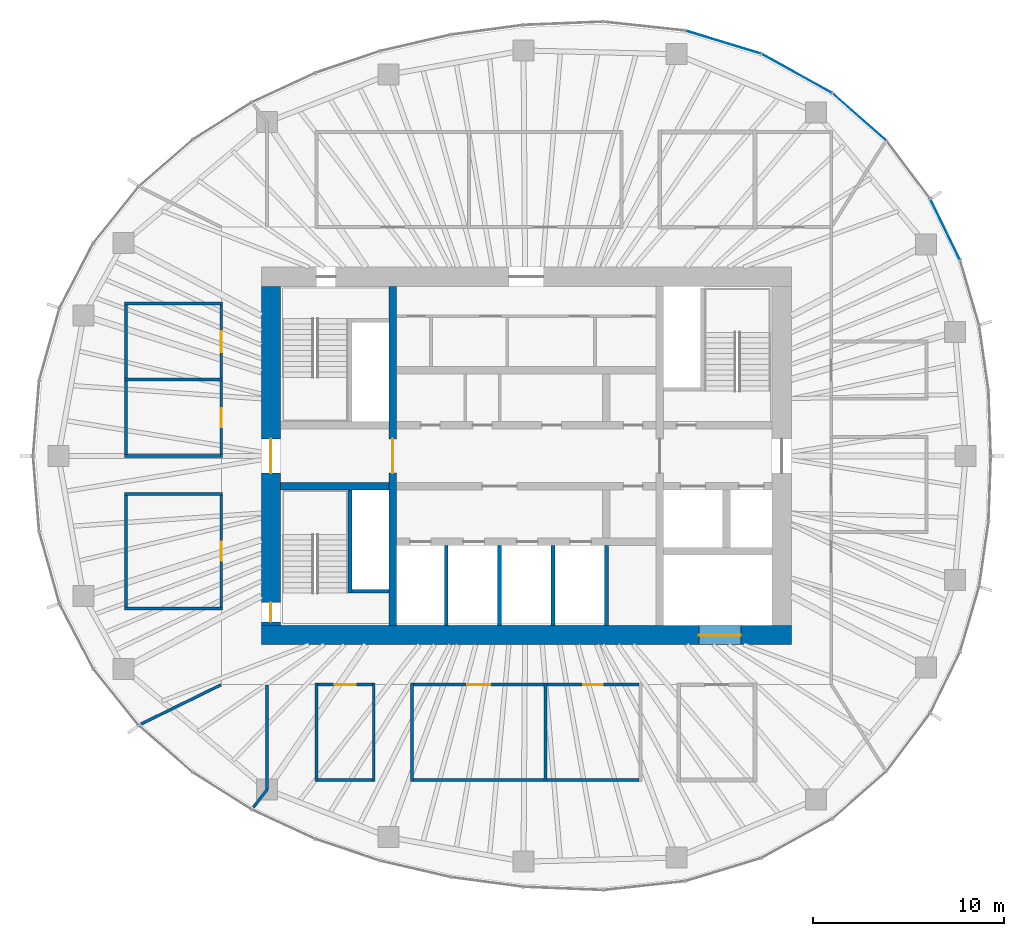
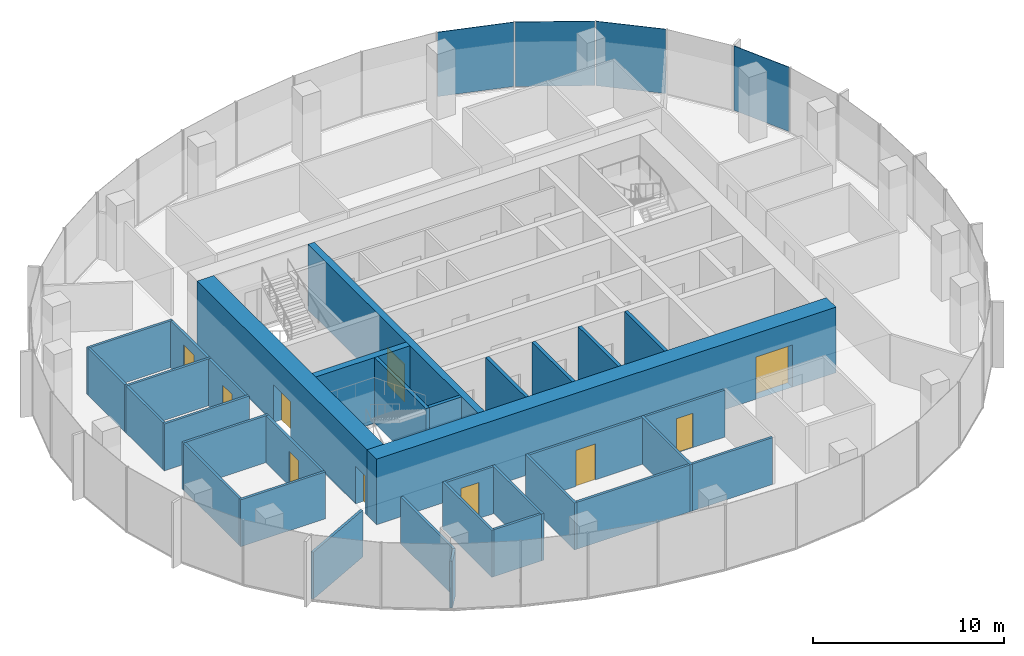
# One storey, part 8 of 12: 34 walls, 10 doors, 4 plates, 10 openings, 3 elements without a shape of their own.
"""IFC4 building model written with IfcOpenShell, lengths in metres."""

from ifc_helpers import new_model, si_unit, direction, frame, frame_2d, origin, origin_2d, place, context, subcontext, project, spatial, rectangle, extrude, material, layer, layer_set, type_object, element, fill, aggregate, save


model = new_model("IFC4")

# Units and contexts
model_context = context("Model", 3, precision=1e-05, world=origin(), true_north=direction((0.0, 1.0)))
body_context = subcontext(model_context, "Body", "Model", "MODEL_VIEW")
ifc_project = project(units=[si_unit("LENGTHUNIT", "METRE"), si_unit("AREAUNIT", "SQUARE_METRE"), si_unit("VOLUMEUNIT", "CUBIC_METRE"), si_unit("PLANEANGLEUNIT", "RADIAN"), si_unit("MASSUNIT", "GRAM", prefix="KILO")], contexts=[model_context])

# Site, building, storey
site_placement = place(None, origin())
site = spatial("IfcSite", under=ifc_project, at=site_placement, CompositionType="ELEMENT")
building_placement = place(site_placement, origin())
building = spatial("IfcBuilding", under=site, at=building_placement, Name="Ghaith Harvest Tower", CompositionType="ELEMENT")
storey_placement = place(building_placement, frame((0.0, 0.0, 296.39990234375)))
storey = spatial("IfcBuildingStorey", under=building, at=storey_placement, Name="L66", CompositionType="ELEMENT", Elevation=296.39990234375)

# Curtain wall, plate
ifc_material_1 = material(Name="Black anodised aluminium and fritted glass", Category="aluminium")
curtain_wall_type = type_object("IfcCurtainWallType", Name="CW-T CURTAIN WALL", PredefinedType="NOTDEFINED", material=ifc_material_1)
curtain_wall_1_placement = place(storey_placement, origin())
curtain_wall_1 = element("IfcCurtainWall", 1, at=curtain_wall_1_placement, inside=storey, type_object=curtain_wall_type, Name="Curtain wall CW-T bay 02 L66", PredefinedType="NOTDEFINED")
ifc_material_2 = material(Name="Glass, dark solar-control fritted double glazed unit", Category="glass")
ifc_layer_1 = layer(ifc_material_2, 0.033935546875)
ifc_layer_set_1 = layer_set([ifc_layer_1], Name="CW-T VISION PANEL")
plate_type = type_object("IfcPlateType", Name="CW-T VISION PANEL", PredefinedType="CURTAIN_PANEL", material=ifc_layer_set_1)
plate_1_placement = place(storey_placement, frame((21.9716796875, 11.878662109375, 0.080078125), z_axis=(0.0, 0.0, 1.0), x_axis=(-0.437968365148, 0.898990384337, 0.0)))
plate_1 = element("IfcPlate", 2, at=plate_1_placement, type_object=plate_type, Name="CW-T glass unit 2 bay 02 L66", PredefinedType="CURTAIN_PANEL", context=body_context, shape_type="SweptSolid", body=[
    extrude(rectangle(XDim=3.49365234375, YDim=0.033935546875, at=origin_2d()), origin(), (0.0, 0.0, 1.0), 4.1201171875),
])
aggregate(curtain_wall_1, [plate_1])

curtain_wall_2_placement = place(storey_placement, origin())
curtain_wall_2 = element("IfcCurtainWall", 3, at=curtain_wall_2_placement, inside=storey, type_object=curtain_wall_type, Name="Curtain wall CW-T bay 03 L66", PredefinedType="NOTDEFINED")
plate_2_placement = place(storey_placement, frame((17.47509765625, 17.779541015625, 0.080078125), z_axis=(0.0, 0.0, 1.0), x_axis=(-0.751334532416, 0.659921525941, 0.0)))
plate_2 = element("IfcPlate", 4, at=plate_2_placement, type_object=plate_type, Name="CW-T glass unit 2 bay 03 L66", PredefinedType="CURTAIN_PANEL", context=body_context, shape_type="SweptSolid", body=[
    extrude(rectangle(XDim=3.7158203125, YDim=0.033935546875, at=origin_2d()), origin(), (0.0, 0.0, 1.0), 4.1201171875),
])
aggregate(curtain_wall_2, [plate_2])

# Curtain wall, plates
curtain_wall_3_placement = place(storey_placement, origin())
curtain_wall_3 = element("IfcCurtainWall", 5, at=curtain_wall_3_placement, inside=storey, type_object=curtain_wall_type, Name="Curtain wall CW-T bay 04 L66", PredefinedType="NOTDEFINED")
plate_3_placement = place(storey_placement, frame((14.19189453125, 20.06201171875, 0.080078125), z_axis=(0.0, 0.0, 1.0), x_axis=(-0.87456402291, 0.484910063653, 0.0)))
plate_3 = element("IfcPlate", 6, at=plate_3_placement, type_object=plate_type, Name="CW-T glass unit 1 bay 04 L66", PredefinedType="CURTAIN_PANEL", context=body_context, shape_type="SweptSolid", body=[
    extrude(rectangle(XDim=4.167724609375, YDim=0.033935546875, at=origin_2d()), origin(), (0.0, 0.0, 1.0), 4.1201171875),
])
plate_4_placement = place(storey_placement, frame((10.337158203125, 21.700439453125, 0.080078125), z_axis=(0.0, 0.0, 1.0), x_axis=(-0.956587736124, 0.291444511181, 0.0)))
plate_4 = element("IfcPlate", 7, at=plate_4_placement, type_object=plate_type, Name="CW-T glass unit 2 bay 04 L66", PredefinedType="CURTAIN_PANEL", context=body_context, shape_type="SweptSolid", body=[
    extrude(rectangle(XDim=4.095703125, YDim=0.033935546875, at=origin_2d()), origin(), (0.0, 0.0, 1.0), 4.1201171875),
])
aggregate(curtain_wall_3, [plate_3, plate_4])

# Wall, opening, door
ifc_material_3 = material(Name="Concrete C50/60", Category="concrete")
ifc_layer_2 = layer(ifc_material_3, 1.0)
ifc_layer_set_2 = layer_set([ifc_layer_2], Name="CORE WALL CW1000")
wall_type_1 = type_object("IfcWallType", Name="CORE WALL CW1000", PredefinedType="SHEAR", material=ifc_layer_set_2)
wall_1_placement = place(storey_placement, frame((-13.89990234375, -9.39990234375, 0.0), z_axis=(0.0, 0.0, 1.0), x_axis=(1.0, 0.0, 0.0)))
wall_1 = element("IfcWall", 8, at=wall_1_placement, inside=storey, type_object=wall_type_1, Name="Core wall S L66", PredefinedType="SHEAR", context=body_context, shape_type="SweptSolid", body=[
    extrude(rectangle(XDim=27.7998046875, YDim=1.0, at=frame_2d((13.89990234375, 0.0))), origin(), (0.0, 0.0, 1.0), 4.2001953125),
])
opening_1_placement = place(wall_1_placement, frame((22.949951171875, 0.0, 0.0)))
opening_1 = element("IfcOpeningElement", 9, at=opening_1_placement, cuts=wall_1, Name="Opening 66-025", PredefinedType="OPENING", context=body_context, shape_type="SweptSolid", body=[
    extrude(rectangle(XDim=2.199951171875, YDim=2.699951171875, at=frame_2d((1.10009765625, 1.35009765625))), frame((0.0, 0.510009765625, 0.0), z_axis=(0.0, -1.0, 0.0), x_axis=(1.0, 0.0, 0.0)), (0.0, 0.0, 1.0), 1.02001953125),
])
ifc_material_4 = material(Name="Steel fire door", Category="steel")
door_type_1 = type_object("IfcDoorType", Name="LD3 LANDING 2200x2700", OperationType="DOUBLE_DOOR_SLIDING", PredefinedType="DOOR", material=ifc_material_4)
door_1_placement = place(opening_1_placement, origin())
door_1 = element("IfcDoor", 10, at=door_1_placement, inside=storey, type_object=door_type_1, Name="Landing door, goods lift GL1", OperationType="DOUBLE_DOOR_SLIDING", OverallHeight=2.699951171875, OverallWidth=2.199951171875, PredefinedType="DOOR", context=body_context, shape_type="SweptSolid", body=[
    extrude(rectangle(XDim=2.199951171875, YDim=2.699951171875, at=frame_2d((1.10009765625, 1.35009765625))), frame((0.0, 0.02490234375, 0.0), z_axis=(0.0, -1.0, 0.0), x_axis=(1.0, 0.0, 0.0)), (0.0, 0.0, 1.0), 0.050048828125),
])
fill(opening_1, door_1)

# Wall, openings, doors
wall_2_placement = place(storey_placement, frame((-13.39990234375, 8.89990234375, 0.0), z_axis=(0.0, 0.0, 1.0), x_axis=(0.0, -1.0, 0.0)))
wall_2 = element("IfcWall", 11, at=wall_2_placement, inside=storey, type_object=wall_type_1, Name="Core wall W L66", PredefinedType="SHEAR", context=body_context, shape_type="SweptSolid", body=[
    extrude(rectangle(XDim=17.7998046875, YDim=1.0, at=frame_2d((8.89990234375, 0.0))), origin(), (0.0, 0.0, 1.0), 4.2001953125),
])
opening_2_placement = place(wall_2_placement, frame((8.0, 0.0, 0.0)))
opening_2 = element("IfcOpeningElement", 12, at=opening_2_placement, cuts=wall_2, Name="Opening 66-001", PredefinedType="OPENING", context=body_context, shape_type="SweptSolid", body=[
    extrude(rectangle(XDim=1.800048828125, YDim=2.39990234375, at=frame_2d((0.89990234375, 1.199951171875))), frame((0.0, 0.510009765625, 0.0), z_axis=(0.0, -1.0, 0.0), x_axis=(1.0, 0.0, 0.0)), (0.0, 0.0, 1.0), 1.02001953125),
])
opening_3_placement = place(wall_2_placement, frame((16.60009765625, 0.0, 0.0)))
opening_3 = element("IfcOpeningElement", 13, at=opening_3_placement, cuts=wall_2, Name="Opening 66-006", PredefinedType="OPENING", context=body_context, shape_type="SweptSolid", body=[
    extrude(rectangle(XDim=1.0, YDim=2.39990234375, at=frame_2d((0.5, 1.199951171875))), frame((0.0, 0.510009765625, 0.0), z_axis=(0.0, -1.0, 0.0), x_axis=(1.0, 0.0, 0.0)), (0.0, 0.0, 1.0), 1.02001953125),
])
ifc_material_5 = material(Name="Steel fire door", Category="steel")
door_type_2 = type_object("IfcDoorType", Name="D3 FD90 1000x2400", OperationType="SINGLE_SWING_LEFT", PredefinedType="DOOR", material=ifc_material_5)
door_2_placement = place(opening_3_placement, origin())
door_2 = element("IfcDoor", 14, at=door_2_placement, inside=storey, type_object=door_type_2, Name="Stair ST3 door", OperationType="SINGLE_SWING_RIGHT", OverallHeight=2.39990234375, OverallWidth=1.0, PredefinedType="DOOR", context=body_context, shape_type="SweptSolid", body=[
    extrude(rectangle(XDim=1.0, YDim=2.39990234375, at=frame_2d((0.5, 1.199951171875))), frame((0.0, 0.02490234375, 0.0), z_axis=(0.0, -1.0, 0.0), x_axis=(1.0, 0.0, 0.0)), (0.0, 0.0, 1.0), 0.050048828125),
])
fill(opening_3, door_2)
ifc_material_6 = material(Name="Steel fire door", Category="steel")
door_type_3 = type_object("IfcDoorType", Name="D4 FD90 PAIR 1800x2400", OperationType="DOUBLE_DOOR_SINGLE_SWING", PredefinedType="DOOR", material=ifc_material_6)
door_3_placement = place(opening_2_placement, origin())
door_3 = element("IfcDoor", 15, at=door_3_placement, inside=storey, type_object=door_type_3, Name="West lobby doors", OperationType="DOUBLE_DOOR_SINGLE_SWING", OverallHeight=2.39990234375, OverallWidth=1.800048828125, PredefinedType="DOOR", context=body_context, shape_type="SweptSolid", body=[
    extrude(rectangle(XDim=1.800048828125, YDim=2.39990234375, at=frame_2d((0.89990234375, 1.199951171875))), frame((0.0, 0.02490234375, 0.0), z_axis=(0.0, -1.0, 0.0), x_axis=(1.0, 0.0, 0.0)), (0.0, 0.0, 1.0), 0.050048828125),
])
fill(opening_2, door_3)

# Walls
ifc_material_7 = material(Name="Concrete blockwork, 2-hour", Category="masonry")
ifc_layer_3 = layer(ifc_material_7, 0.199951171875)
ifc_layer_set_3 = layer_set([ifc_layer_3], Name="LIFT SHAFT WALL 200")
wall_type_2 = type_object("IfcWallType", Name="LIFT SHAFT WALL 200", PredefinedType="PARTITIONING", material=ifc_layer_set_3)
for number, where, z_axis, x_axis, name in (
    (16, (-4.199951171875, -4.699951171875, 0.0), (0.0, 0.0, 1.0), (0.0, -1.0, 0.0), "Lift shaft wall L66"),
    (17, (-1.39990234375, -4.699951171875, 0.0), (0.0, 0.0, 1.0), (0.0, -1.0, 0.0), "Lift shaft wall L66"),
    (18, (1.39990234375, -4.699951171875, 0.0), (0.0, 0.0, 1.0), (0.0, -1.0, 0.0), "Lift shaft wall L66"),
    (19, (4.199951171875, -4.699951171875, 0.0), (0.0, 0.0, 1.0), (0.0, -1.0, 0.0), "Lift shaft wall L66"),
):
    element("IfcWall", number, at=place(storey_placement, frame(where, z_axis=z_axis, x_axis=x_axis)), inside=storey, type_object=wall_type_2, Name=name, PredefinedType="PARTITIONING", context=body_context, shape_type="SweptSolid", body=[
        extrude(rectangle(XDim=4.199951171875, YDim=0.199951171875, at=frame_2d((2.10009765625, 0.0))), origin(), (0.0, 0.0, 1.0), 4.2001953125),
    ])
ifc_material_8 = material(Name="Gypsum board on steel studs", Category="steel")
ifc_layer_4 = layer(ifc_material_8, 0.14990234375)
ifc_layer_set_4 = layer_set([ifc_layer_4], Name="PARTITION 150")
wall_type_3 = type_object("IfcWallType", Name="PARTITION 150", PredefinedType="PARTITIONING", material=ifc_layer_set_4)
for number, where, z_axis, x_axis, name in (
    (20, (-6.0, -11.925048828125, 0.0), (0.0, 0.0, 1.0), (0.0, -1.0, 0.0), "Partition L66 row S3 cross wall 1"),
    (21, (1.0, -11.925048828125, 0.0), (0.0, 0.0, 1.0), (0.0, -1.0, 0.0), "Partition L66 row S3 cross wall 2"),
):
    element("IfcWall", number, at=place(storey_placement, frame(where, z_axis=z_axis, x_axis=x_axis)), inside=storey, type_object=wall_type_3, Name=name, PredefinedType="PARTITIONING", context=body_context, shape_type="SweptSolid", body=[
        extrude(rectangle(XDim=5.14990234375, YDim=0.14990234375, at=frame_2d((2.574951171875, 0.0))), origin(), (0.0, 0.0, 1.0), 3.0),
    ])

# Wall, opening, door
wall_3_placement = place(storey_placement, frame((-5.925048828125, -12.0, 0.0), z_axis=(0.0, 0.0, 1.0), x_axis=(1.0, 0.0, 0.0)))
wall_3 = element("IfcWall", 22, at=wall_3_placement, inside=storey, type_object=wall_type_3, Name="Partition L66-05", PredefinedType="PARTITIONING", context=body_context, shape_type="SweptSolid", body=[
    extrude(rectangle(XDim=6.85009765625, YDim=0.14990234375, at=frame_2d((3.425048828125, 0.0))), origin(), (0.0, 0.0, 1.0), 3.0),
])
opening_4_placement = place(wall_3_placement, frame((2.824951171875, 0.0, 0.0)))
opening_4 = element("IfcOpeningElement", 23, at=opening_4_placement, cuts=wall_3, Name="Opening 66-030", PredefinedType="OPENING", context=body_context, shape_type="SweptSolid", body=[
    extrude(rectangle(XDim=1.199951171875, YDim=2.300048828125, at=frame_2d((0.60009765625, 1.14990234375))), frame((0.0, 0.0849609375, 0.0), z_axis=(0.0, -1.0, 0.0), x_axis=(1.0, 0.0, 0.0)), (0.0, 0.0, 1.0), 0.169921875),
])
ifc_material_9 = material(Name="Timber door with vision panel", Category="wood")
door_type_4 = type_object("IfcDoorType", Name="D15 LABORATORY 1200x2300", OperationType="SINGLE_SWING_LEFT", PredefinedType="DOOR", material=ifc_material_9)
door_4_placement = place(opening_4_placement, origin())
door_4 = element("IfcDoor", 24, at=door_4_placement, inside=storey, type_object=door_type_4, Name="Crop health laboratory door", OperationType="SINGLE_SWING_LEFT", OverallHeight=2.300048828125, OverallWidth=1.199951171875, PredefinedType="DOOR", context=body_context, shape_type="SweptSolid", body=[
    extrude(rectangle(XDim=1.199951171875, YDim=2.300048828125, at=frame_2d((0.60009765625, 1.14990234375))), frame((0.0, 0.02490234375, 0.0), z_axis=(0.0, -1.0, 0.0), x_axis=(1.0, 0.0, 0.0)), (0.0, 0.0, 1.0), 0.050048828125),
])
fill(opening_4, door_4)

# Wall
wall_4_placement = place(storey_placement, frame((-5.925048828125, -17.0, 0.0), z_axis=(0.0, 0.0, 1.0), x_axis=(1.0, 0.0, 0.0)))
element("IfcWall", 25, at=wall_4_placement, inside=storey, type_object=wall_type_3, Name="Partition L66-05", PredefinedType="PARTITIONING", context=body_context, shape_type="SweptSolid", body=[
    extrude(rectangle(XDim=6.85009765625, YDim=0.14990234375, at=frame_2d((3.425048828125, 0.0))), origin(), (0.0, 0.0, 1.0), 3.0),
])

# Wall, opening, door
wall_5_placement = place(storey_placement, frame((1.074951171875, -12.0, 0.0), z_axis=(0.0, 0.0, 1.0), x_axis=(1.0, 0.0, 0.0)))
wall_5 = element("IfcWall", 26, at=wall_5_placement, inside=storey, type_object=wall_type_3, Name="Partition L66-06", PredefinedType="PARTITIONING", context=body_context, shape_type="SweptSolid", body=[
    extrude(rectangle(XDim=4.85009765625, YDim=0.14990234375, at=frame_2d((2.425048828125, 0.0))), origin(), (0.0, 0.0, 1.0), 3.0),
])
opening_5_placement = place(wall_5_placement, frame((1.925048828125, 0.0, 0.0)))
opening_5 = element("IfcOpeningElement", 27, at=opening_5_placement, cuts=wall_5, Name="Opening 66-031", PredefinedType="OPENING", context=body_context, shape_type="SweptSolid", body=[
    extrude(rectangle(XDim=1.0, YDim=2.199951171875, at=frame_2d((0.5, 1.10009765625))), frame((0.0, 0.0849609375, 0.0), z_axis=(0.0, -1.0, 0.0), x_axis=(1.0, 0.0, 0.0)), (0.0, 0.0, 1.0), 0.169921875),
])
ifc_material_10 = material(Name="Timber door", Category="wood")
door_type_5 = type_object("IfcDoorType", Name="D1 SINGLE 1000x2200", OperationType="SINGLE_SWING_LEFT", PredefinedType="DOOR", material=ifc_material_10)
door_5_placement = place(opening_5_placement, origin())
door_5 = element("IfcDoor", 28, at=door_5_placement, inside=storey, type_object=door_type_5, Name="Potting room door", OperationType="SINGLE_SWING_LEFT", OverallHeight=2.199951171875, OverallWidth=1.0, PredefinedType="DOOR", context=body_context, shape_type="SweptSolid", body=[
    extrude(rectangle(XDim=1.0, YDim=2.199951171875, at=frame_2d((0.5, 1.10009765625))), frame((0.0, 0.02490234375, 0.0), z_axis=(0.0, -1.0, 0.0), x_axis=(1.0, 0.0, 0.0)), (0.0, 0.0, 1.0), 0.050048828125),
])
fill(opening_5, door_5)

# Walls
wall_6_placement = place(storey_placement, frame((1.074951171875, -17.0, 0.0), z_axis=(0.0, 0.0, 1.0), x_axis=(1.0, 0.0, 0.0)))
element("IfcWall", 29, at=wall_6_placement, inside=storey, type_object=wall_type_3, Name="Partition L66-06", PredefinedType="PARTITIONING", context=body_context, shape_type="SweptSolid", body=[
    extrude(rectangle(XDim=4.85009765625, YDim=0.14990234375, at=frame_2d((2.425048828125, 0.0))), origin(), (0.0, 0.0, 1.0), 3.0),
])
for number, where, z_axis, x_axis, name in (
    (30, (-15.925048828125, -8.0, 0.0), (0.0, 0.0, 1.0), (-1.0, 0.0, 0.0), "Partition L66 row W5 cross wall 1"),
    (31, (-15.925048828125, -2.0, 0.0), (0.0, 0.0, 1.0), (-1.0, 0.0, 0.0), "Partition L66 row W5 cross wall 2"),
):
    element("IfcWall", number, at=place(storey_placement, frame(where, z_axis=z_axis, x_axis=x_axis)), inside=storey, type_object=wall_type_3, Name=name, PredefinedType="PARTITIONING", context=body_context, shape_type="SweptSolid", body=[
        extrude(rectangle(XDim=5.14990234375, YDim=0.14990234375, at=frame_2d((2.574951171875, 0.0))), origin(), (0.0, 0.0, 1.0), 3.0),
    ])

# Wall, opening, door
wall_7_placement = place(storey_placement, frame((-16.0, -7.925048828125, 0.0), z_axis=(0.0, 0.0, 1.0), x_axis=(0.0, 1.0, 0.0)))
wall_7 = element("IfcWall", 32, at=wall_7_placement, inside=storey, type_object=wall_type_3, Name="Partition L66-08", PredefinedType="PARTITIONING", context=body_context, shape_type="SweptSolid", body=[
    extrude(rectangle(XDim=5.85009765625, YDim=0.14990234375, at=frame_2d((2.925048828125, 0.0))), origin(), (0.0, 0.0, 1.0), 3.0),
])
opening_6_placement = place(wall_7_placement, frame((2.425048828125, 0.0, 0.0)))
opening_6 = element("IfcOpeningElement", 33, at=opening_6_placement, cuts=wall_7, Name="Opening 66-033", PredefinedType="OPENING", context=body_context, shape_type="SweptSolid", body=[
    extrude(rectangle(XDim=1.0, YDim=2.199951171875, at=frame_2d((0.5, 1.10009765625))), frame((0.0, 0.0849609375, 0.0), z_axis=(0.0, -1.0, 0.0), x_axis=(1.0, 0.0, 0.0)), (0.0, 0.0, 1.0), 0.169921875),
])
door_6_placement = place(opening_6_placement, origin())
door_6 = element("IfcDoor", 34, at=door_6_placement, inside=storey, type_object=door_type_5, Name="Potting room door", OperationType="SINGLE_SWING_LEFT", OverallHeight=2.199951171875, OverallWidth=1.0, PredefinedType="DOOR", context=body_context, shape_type="SweptSolid", body=[
    extrude(rectangle(XDim=1.0, YDim=2.199951171875, at=frame_2d((0.5, 1.10009765625))), frame((0.0, 0.02490234375, 0.0), z_axis=(0.0, -1.0, 0.0), x_axis=(1.0, 0.0, 0.0)), (0.0, 0.0, 1.0), 0.050048828125),
])
fill(opening_6, door_6)

# Walls
wall_8_placement = place(storey_placement, frame((-21.0, -7.925048828125, 0.0), z_axis=(0.0, 0.0, 1.0), x_axis=(0.0, 1.0, 0.0)))
element("IfcWall", 35, at=wall_8_placement, inside=storey, type_object=wall_type_3, Name="Partition L66-08", PredefinedType="PARTITIONING", context=body_context, shape_type="SweptSolid", body=[
    extrude(rectangle(XDim=5.85009765625, YDim=0.14990234375, at=frame_2d((2.925048828125, 0.0))), origin(), (0.0, 0.0, 1.0), 3.0),
])
for number, where, z_axis, x_axis, name in (
    (36, (-11.0, -11.925048828125, 0.0), (0.0, 0.0, 1.0), (0.0, -1.0, 0.0), "Partition L66 row S7 cross wall 1"),
    (37, (-8.0, -11.925048828125, 0.0), (0.0, 0.0, 1.0), (0.0, -1.0, 0.0), "Partition L66 row S7 cross wall 2"),
):
    element("IfcWall", number, at=place(storey_placement, frame(where, z_axis=z_axis, x_axis=x_axis)), inside=storey, type_object=wall_type_3, Name=name, PredefinedType="PARTITIONING", context=body_context, shape_type="SweptSolid", body=[
        extrude(rectangle(XDim=5.14990234375, YDim=0.14990234375, at=frame_2d((2.574951171875, 0.0))), origin(), (0.0, 0.0, 1.0), 3.0),
    ])

# Wall, opening, door
wall_9_placement = place(storey_placement, frame((-10.925048828125, -12.0, 0.0), z_axis=(0.0, 0.0, 1.0), x_axis=(1.0, 0.0, 0.0)))
wall_9 = element("IfcWall", 38, at=wall_9_placement, inside=storey, type_object=wall_type_3, Name="Partition L66-10", PredefinedType="PARTITIONING", context=body_context, shape_type="SweptSolid", body=[
    extrude(rectangle(XDim=2.85009765625, YDim=0.14990234375, at=frame_2d((1.425048828125, 0.0))), origin(), (0.0, 0.0, 1.0), 3.0),
])
opening_7_placement = place(wall_9_placement, frame((0.875, 0.0, 0.0)))
opening_7 = element("IfcOpeningElement", 39, at=opening_7_placement, cuts=wall_9, Name="Opening 66-035", PredefinedType="OPENING", context=body_context, shape_type="SweptSolid", body=[
    extrude(rectangle(XDim=1.10009765625, YDim=2.300048828125, at=frame_2d((0.550048828125, 1.14990234375))), frame((0.0, 0.0849609375, 0.0), z_axis=(0.0, -1.0, 0.0), x_axis=(1.0, 0.0, 0.0)), (0.0, 0.0, 1.0), 0.169921875),
])
ifc_material_11 = material(Name="Timber-framed glazed door", Category="wood")
door_type_6 = type_object("IfcDoorType", Name="D12 GLAZED OFFICE 1100x2300", OperationType="SINGLE_SWING_LEFT", PredefinedType="DOOR", material=ifc_material_11)
door_7_placement = place(opening_7_placement, origin())
door_7 = element("IfcDoor", 40, at=door_7_placement, inside=storey, type_object=door_type_6, Name="Office door", OperationType="SINGLE_SWING_LEFT", OverallHeight=2.300048828125, OverallWidth=1.10009765625, PredefinedType="DOOR", context=body_context, shape_type="SweptSolid", body=[
    extrude(rectangle(XDim=1.10009765625, YDim=2.300048828125, at=frame_2d((0.550048828125, 1.14990234375))), frame((0.0, 0.02490234375, 0.0), z_axis=(0.0, -1.0, 0.0), x_axis=(1.0, 0.0, 0.0)), (0.0, 0.0, 1.0), 0.050048828125),
])
fill(opening_7, door_7)

# Walls
wall_10_placement = place(storey_placement, frame((-10.925048828125, -17.0, 0.0), z_axis=(0.0, 0.0, 1.0), x_axis=(1.0, 0.0, 0.0)))
element("IfcWall", 41, at=wall_10_placement, inside=storey, type_object=wall_type_3, Name="Partition L66-10", PredefinedType="PARTITIONING", context=body_context, shape_type="SweptSolid", body=[
    extrude(rectangle(XDim=2.85009765625, YDim=0.14990234375, at=frame_2d((1.425048828125, 0.0))), origin(), (0.0, 0.0, 1.0), 3.0),
])
for number, where, z_axis, x_axis, name in (
    (42, (-15.925048828125, 0.0, 0.0), (0.0, 0.0, 1.0), (-1.0, 0.0, 0.0), "Partition L66 row W9 cross wall 1"),
    (43, (-15.925048828125, 4.0, 0.0), (0.0, 0.0, 1.0), (-1.0, 0.0, 0.0), "Partition L66 row W9 cross wall 2"),
    (44, (-15.925048828125, 8.0, 0.0), (0.0, 0.0, 1.0), (-1.0, 0.0, 0.0), "Partition L66 row W9 cross wall 3"),
):
    element("IfcWall", number, at=place(storey_placement, frame(where, z_axis=z_axis, x_axis=x_axis)), inside=storey, type_object=wall_type_3, Name=name, PredefinedType="PARTITIONING", context=body_context, shape_type="SweptSolid", body=[
        extrude(rectangle(XDim=5.14990234375, YDim=0.14990234375, at=frame_2d((2.574951171875, 0.0))), origin(), (0.0, 0.0, 1.0), 3.0),
    ])

# Wall, opening, door
wall_11_placement = place(storey_placement, frame((-16.0, 0.074951171875, 0.0), z_axis=(0.0, 0.0, 1.0), x_axis=(0.0, 1.0, 0.0)))
wall_11 = element("IfcWall", 45, at=wall_11_placement, inside=storey, type_object=wall_type_3, Name="Partition L66-12", PredefinedType="PARTITIONING", context=body_context, shape_type="SweptSolid", body=[
    extrude(rectangle(XDim=3.85009765625, YDim=0.14990234375, at=frame_2d((1.925048828125, 0.0))), origin(), (0.0, 0.0, 1.0), 3.0),
])
opening_8_placement = place(wall_11_placement, frame((1.425048828125, 0.0, 0.0)))
opening_8 = element("IfcOpeningElement", 46, at=opening_8_placement, cuts=wall_11, Name="Opening 66-037", PredefinedType="OPENING", context=body_context, shape_type="SweptSolid", body=[
    extrude(rectangle(XDim=1.0, YDim=2.199951171875, at=frame_2d((0.5, 1.10009765625))), frame((0.0, 0.0849609375, 0.0), z_axis=(0.0, -1.0, 0.0), x_axis=(1.0, 0.0, 0.0)), (0.0, 0.0, 1.0), 0.169921875),
])
door_8_placement = place(opening_8_placement, origin())
door_8 = element("IfcDoor", 47, at=door_8_placement, inside=storey, type_object=door_type_5, Name="Growing media store door", OperationType="SINGLE_SWING_LEFT", OverallHeight=2.199951171875, OverallWidth=1.0, PredefinedType="DOOR", context=body_context, shape_type="SweptSolid", body=[
    extrude(rectangle(XDim=1.0, YDim=2.199951171875, at=frame_2d((0.5, 1.10009765625))), frame((0.0, 0.02490234375, 0.0), z_axis=(0.0, -1.0, 0.0), x_axis=(1.0, 0.0, 0.0)), (0.0, 0.0, 1.0), 0.050048828125),
])
fill(opening_8, door_8)

# Wall
wall_12_placement = place(storey_placement, frame((-21.0, 0.074951171875, 0.0), z_axis=(0.0, 0.0, 1.0), x_axis=(0.0, 1.0, 0.0)))
element("IfcWall", 48, at=wall_12_placement, inside=storey, type_object=wall_type_3, Name="Partition L66-12", PredefinedType="PARTITIONING", context=body_context, shape_type="SweptSolid", body=[
    extrude(rectangle(XDim=3.85009765625, YDim=0.14990234375, at=frame_2d((1.925048828125, 0.0))), origin(), (0.0, 0.0, 1.0), 3.0),
])

# Wall, opening, door
wall_13_placement = place(storey_placement, frame((-16.0, 4.074951171875, 0.0), z_axis=(0.0, 0.0, 1.0), x_axis=(0.0, 1.0, 0.0)))
wall_13 = element("IfcWall", 49, at=wall_13_placement, inside=storey, type_object=wall_type_3, Name="Partition L66-13", PredefinedType="PARTITIONING", context=body_context, shape_type="SweptSolid", body=[
    extrude(rectangle(XDim=3.85009765625, YDim=0.14990234375, at=frame_2d((1.925048828125, 0.0))), origin(), (0.0, 0.0, 1.0), 3.0),
])
opening_9_placement = place(wall_13_placement, frame((1.375, 0.0, 0.0)))
opening_9 = element("IfcOpeningElement", 50, at=opening_9_placement, cuts=wall_13, Name="Opening 66-038", PredefinedType="OPENING", context=body_context, shape_type="SweptSolid", body=[
    extrude(rectangle(XDim=1.10009765625, YDim=2.300048828125, at=frame_2d((0.550048828125, 1.14990234375))), frame((0.0, 0.0849609375, 0.0), z_axis=(0.0, -1.0, 0.0), x_axis=(1.0, 0.0, 0.0)), (0.0, 0.0, 1.0), 0.169921875),
])
door_9_placement = place(opening_9_placement, origin())
door_9 = element("IfcDoor", 51, at=door_9_placement, inside=storey, type_object=door_type_6, Name="Crop office door", OperationType="SINGLE_SWING_LEFT", OverallHeight=2.300048828125, OverallWidth=1.10009765625, PredefinedType="DOOR", context=body_context, shape_type="SweptSolid", body=[
    extrude(rectangle(XDim=1.10009765625, YDim=2.300048828125, at=frame_2d((0.550048828125, 1.14990234375))), frame((0.0, 0.02490234375, 0.0), z_axis=(0.0, -1.0, 0.0), x_axis=(1.0, 0.0, 0.0)), (0.0, 0.0, 1.0), 0.050048828125),
])
fill(opening_9, door_9)

# Walls
wall_14_placement = place(storey_placement, frame((-21.0, 4.074951171875, 0.0), z_axis=(0.0, 0.0, 1.0), x_axis=(0.0, 1.0, 0.0)))
element("IfcWall", 52, at=wall_14_placement, inside=storey, type_object=wall_type_3, Name="Partition L66-13", PredefinedType="PARTITIONING", context=body_context, shape_type="SweptSolid", body=[
    extrude(rectangle(XDim=3.85009765625, YDim=0.14990234375, at=frame_2d((1.925048828125, 0.0))), origin(), (0.0, 0.0, 1.0), 3.0),
])
wall_15_placement = place(storey_placement, frame((-16.017822265625, -12.0087890625, 0.0), z_axis=(0.0, 0.0, 1.0), x_axis=(-0.897771840996, -0.440460805879, 0.0)))
element("IfcWall", 53, at=wall_15_placement, inside=storey, type_object=wall_type_3, Name="Partition L66 zone division", PredefinedType="PARTITIONING", context=body_context, shape_type="SweptSolid", body=[
    extrude(rectangle(XDim=4.66552734375, YDim=0.14990234375, at=frame_2d((2.332763671875, 0.0))), origin(), (0.0, 0.0, 1.0), 3.0),
])
wall_16_placement = place(storey_placement, frame((-13.594970703125, -12.02001953125, 0.0), z_axis=(0.0, 0.0, 1.0), x_axis=(0.0, -1.0, 0.0)))
element("IfcWall", 54, at=wall_16_placement, inside=storey, type_object=wall_type_3, Name="Partition L66 zone division", PredefinedType="PARTITIONING", context=body_context, shape_type="SweptSolid", body=[
    extrude(rectangle(XDim=5.48486328125, YDim=0.14990234375, at=frame_2d((2.742431640625, 0.0))), origin(), (0.0, 0.0, 1.0), 3.0),
])
wall_17_placement = place(storey_placement, frame((-13.594970703125, -17.5048828125, 0.0), z_axis=(0.0, 0.0, 1.0), x_axis=(-0.61332442804, -0.789831086986, 0.0)))
element("IfcWall", 55, at=wall_17_placement, inside=storey, type_object=wall_type_3, Name="Partition L66 zone division", PredefinedType="PARTITIONING", context=body_context, shape_type="SweptSolid", body=[
    extrude(rectangle(XDim=1.179931640625, YDim=0.14990234375, at=frame_2d((0.58984375, 0.0))), origin(), (0.0, 0.0, 1.0), 3.0),
])

# Wall, opening, door
ifc_material_12 = material(Name="Concrete C70/85", Category="concrete")
ifc_layer_5 = layer(ifc_material_12, 0.39990234375)
ifc_layer_set_5 = layer_set([ifc_layer_5], Name="SHAFT WALL 400")
wall_type_4 = type_object("IfcWallType", Name="SHAFT WALL 400", PredefinedType="SHEAR", material=ifc_layer_set_5)
wall_18_placement = place(storey_placement, frame((-7.0, -8.89990234375, 0.0), z_axis=(0.0, 0.0, 1.0), x_axis=(0.0, 1.0, 0.0)))
wall_18 = element("IfcWall", 56, at=wall_18_placement, inside=storey, type_object=wall_type_4, Name="Shaft wall W7W L66", PredefinedType="SHEAR", context=body_context, shape_type="SweptSolid", body=[
    extrude(rectangle(XDim=17.7998046875, YDim=0.39990234375, at=frame_2d((8.89990234375, 0.0))), origin(), (0.0, 0.0, 1.0), 4.2001953125),
])
opening_10_placement = place(wall_18_placement, frame((8.0, 0.0, 0.0)))
opening_10 = element("IfcOpeningElement", 57, at=opening_10_placement, cuts=wall_18, Name="Opening 66-003", PredefinedType="OPENING", context=body_context, shape_type="SweptSolid", body=[
    extrude(rectangle(XDim=1.800048828125, YDim=2.39990234375, at=frame_2d((0.89990234375, 1.199951171875))), frame((0.0, 0.2099609375, 0.0), z_axis=(0.0, -1.0, 0.0), x_axis=(1.0, 0.0, 0.0)), (0.0, 0.0, 1.0), 0.419921875),
])
door_10_placement = place(opening_10_placement, origin())
door_10 = element("IfcDoor", 58, at=door_10_placement, inside=storey, type_object=door_type_3, Name="Lift lobby doors, west", OperationType="DOUBLE_DOOR_SINGLE_SWING", OverallHeight=2.39990234375, OverallWidth=1.800048828125, PredefinedType="DOOR", context=body_context, shape_type="SweptSolid", body=[
    extrude(rectangle(XDim=1.800048828125, YDim=2.39990234375, at=frame_2d((0.89990234375, 1.199951171875))), frame((0.0, 0.02490234375, 0.0), z_axis=(0.0, -1.0, 0.0), x_axis=(1.0, 0.0, 0.0)), (0.0, 0.0, 1.0), 0.050048828125),
])
fill(opening_10, door_10)

# Walls
wall_19_placement = place(storey_placement, frame((-12.89990234375, -1.60009765625, 0.0), z_axis=(0.0, 0.0, 1.0), x_axis=(1.0, 0.0, 0.0)))
element("IfcWall", 59, at=wall_19_placement, inside=storey, type_object=wall_type_4, Name="Shaft wall WS L66", PredefinedType="SHEAR", context=body_context, shape_type="SweptSolid", body=[
    extrude(rectangle(XDim=5.699951171875, YDim=0.39990234375, at=frame_2d((2.85009765625, 0.0))), origin(), (0.0, 0.0, 1.0), 4.2001953125),
])
ifc_material_13 = material(Name="Concrete C40/50", Category="concrete")
ifc_layer_6 = layer(ifc_material_13, 0.199951171875)
ifc_layer_set_6 = layer_set([ifc_layer_6], Name="STAIR SPINE WALL RC200")
wall_type_5 = type_object("IfcWallType", Name="STAIR SPINE WALL RC200", PredefinedType="SOLIDWALL", material=ifc_layer_set_6)
wall_20_placement = place(storey_placement, frame((-9.25, -7.199951171875, 0.0), z_axis=(0.0, 0.0, 1.0), x_axis=(0.0, 1.0, 0.0)))
element("IfcWall", 60, at=wall_20_placement, inside=storey, type_object=wall_type_5, Name="Stair ST3 spine wall L66", PredefinedType="SOLIDWALL", context=body_context, shape_type="SweptSolid", body=[
    extrude(rectangle(XDim=5.39990234375, YDim=0.199951171875, at=frame_2d((2.699951171875, 0.0))), origin(), (0.0, 0.0, 1.0), 4.2001953125),
])
wall_21_placement = place(storey_placement, frame((-9.14990234375, -7.10009765625, 0.0), z_axis=(0.0, 0.0, 1.0), x_axis=(1.0, 0.0, 0.0)))
element("IfcWall", 61, at=wall_21_placement, inside=storey, type_object=wall_type_5, Name="Stair ST3 spine wall return L66", PredefinedType="SOLIDWALL", context=body_context, shape_type="SweptSolid", body=[
    extrude(rectangle(XDim=1.949951171875, YDim=0.199951171875, at=frame_2d((0.97509765625, 0.0))), origin(), (0.0, 0.0, 1.0), 4.2001953125),
])

save(model, "model.ifc")
